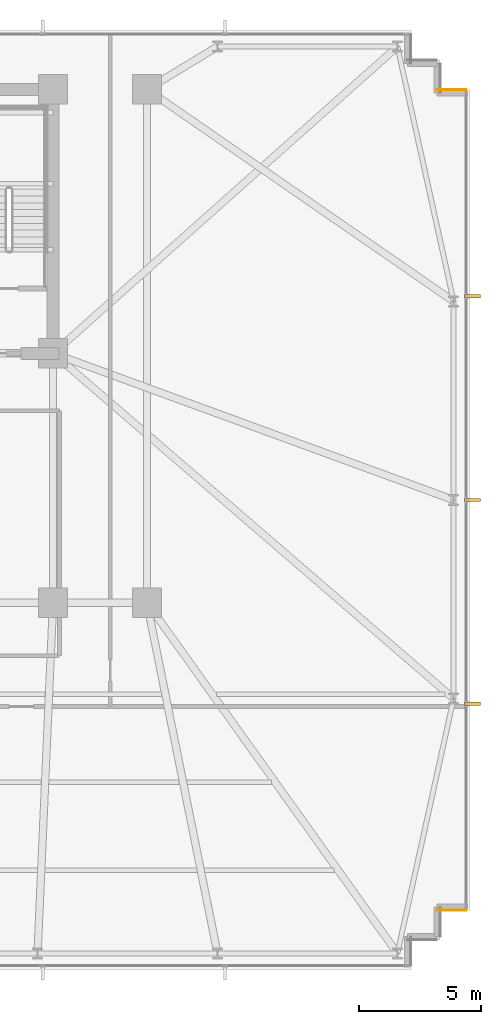
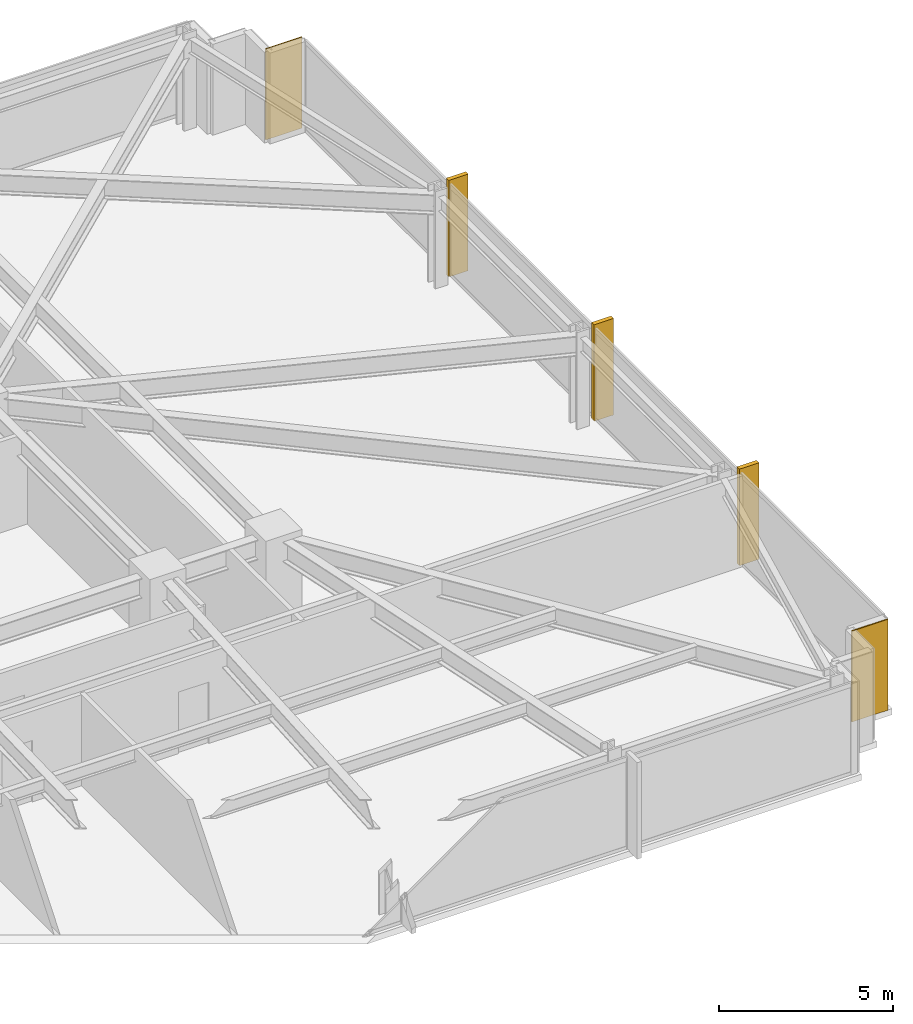
# One storey, part 33 of 33: 3 shading devices, 2 coverings.
"""IFC4 building model written with IfcOpenShell, lengths in metres."""

from ifc_helpers import new_model, si_unit, direction, frame, frame_2d, origin, origin_2d, place, context, subcontext, project, spatial, rectangle, extrude, material, layer, layer_set, type_object, element, save


model = new_model("IFC4")

# Units and contexts
model_context = context("Model", 3, precision=1e-05, world=origin(), true_north=direction((0.0, 1.0)))
body_context = subcontext(model_context, "Body", "Model", "MODEL_VIEW")
ifc_project = project(units=[si_unit("LENGTHUNIT", "METRE"), si_unit("AREAUNIT", "SQUARE_METRE"), si_unit("VOLUMEUNIT", "CUBIC_METRE"), si_unit("PLANEANGLEUNIT", "RADIAN"), si_unit("MASSUNIT", "GRAM", prefix="KILO")], contexts=[model_context])

# Site, building, storey
site_placement = place(None, origin())
site = spatial("IfcSite", under=ifc_project, at=site_placement, CompositionType="ELEMENT")
building_placement = place(site_placement, origin())
building = spatial("IfcBuilding", under=site, at=building_placement, Name="Yelkora Congress Tower", CompositionType="ELEMENT")
storey_placement = place(building_placement, frame((0.0, 0.0, 37.199951171875)))
storey = spatial("IfcBuildingStorey", under=building, at=storey_placement, Name="L08", CompositionType="ELEMENT", Elevation=37.199951171875)

# Coverings
ifc_material_1 = material(Name="Anatolian bush-hammered limestone", Category="masonry")
ifc_layer_1 = layer(ifc_material_1, 0.0400390625)
ifc_layer_set_1 = layer_set([ifc_layer_1], Name="Anatolian bush-hammered limestone")
covering_type = type_object("IfcCoveringType", Name="COV-CLAD-SPANDREL-40", PredefinedType="CLADDING", material=ifc_layer_set_1)
for number, where, z_axis, x_axis, name in (
    (1, (69.4599609375, 46.195068359375, 0.0), (0.0, 0.0, 1.0), (1.0, 0.0, 0.0), "L08 Anatolian Limestone Cladding EW-L08-SR14"),
    (2, (70.659912109375, 12.60498046875, 0.0), (0.0, 0.0, 1.0), (-1.0, 0.0, 0.0), "L08 Anatolian Limestone Cladding EW-L08-SR16"),
):
    element("IfcCovering", number, at=place(storey_placement, frame(where, z_axis=z_axis, x_axis=x_axis)), inside=storey, type_object=covering_type, Name=name, PredefinedType="CLADDING", context=body_context, shape_type="SweptSolid", body=[
        extrude(rectangle(XDim=1.199951171875, YDim=0.0400390625, at=frame_2d((0.60009765625, 0.0))), origin(), (0.0, 0.0, 1.0), 3.179931640625),
    ])

# Shading devices
ifc_material_2 = material(Name="Champagne anodised aluminium", Category="aluminium")
ifc_layer_2 = layer(ifc_material_2, 3.39990234375)
ifc_layer_set_2 = layer_set([ifc_layer_2], Name="Champagne anodised aluminium")
shading_device_type = type_object("IfcShadingDeviceType", Name="SHD-FIN-ALU-640", PredefinedType="USERDEFINED", material=ifc_layer_set_2)
for number, where, z_axis, x_axis, name in (
    (3, (70.919921875, 37.72998046875, -0.02978515625), (0.0, 0.0, 1.0), (0.0, -1.0, 0.0), "L08 Vertical Anodised Solar Fin 15-1"),
    (4, (70.919921875, 29.39990234375, -0.02978515625), (0.0, 0.0, 1.0), (0.0, -1.0, 0.0), "L08 Vertical Anodised Solar Fin 15-2"),
    (5, (70.919921875, 21.070068359375, -0.02978515625), (0.0, 0.0, 1.0), (0.0, -1.0, 0.0), "L08 Vertical Anodised Solar Fin 15-3"),
):
    element("IfcShadingDevice", number, at=place(storey_placement, frame(where, z_axis=z_axis, x_axis=x_axis)), inside=storey, type_object=shading_device_type, Name=name, ObjectType="FIN", PredefinedType="USERDEFINED", context=body_context, shape_type="SweptSolid", body=[
        extrude(rectangle(XDim=0.139892578125, YDim=0.639892578125, at=origin_2d()), origin(), (0.0, 0.0, 1.0), 3.3798828125),
    ])

save(model, "model.ifc")
